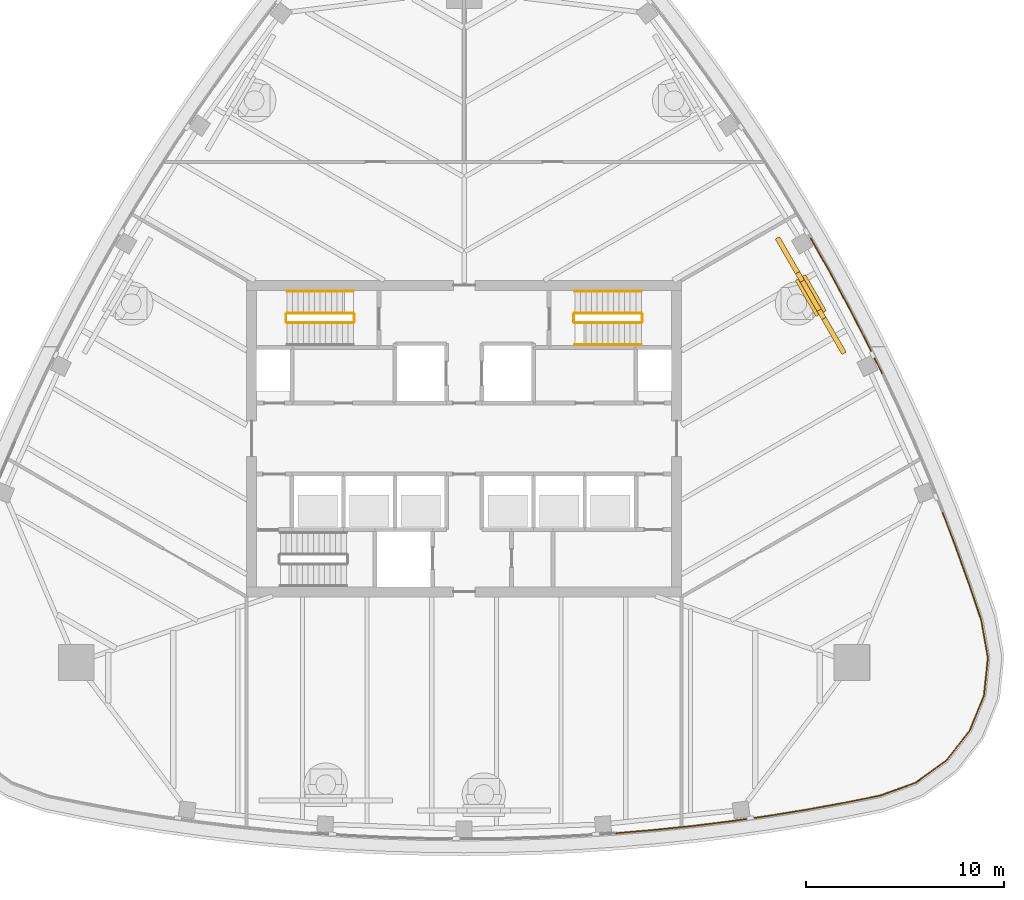
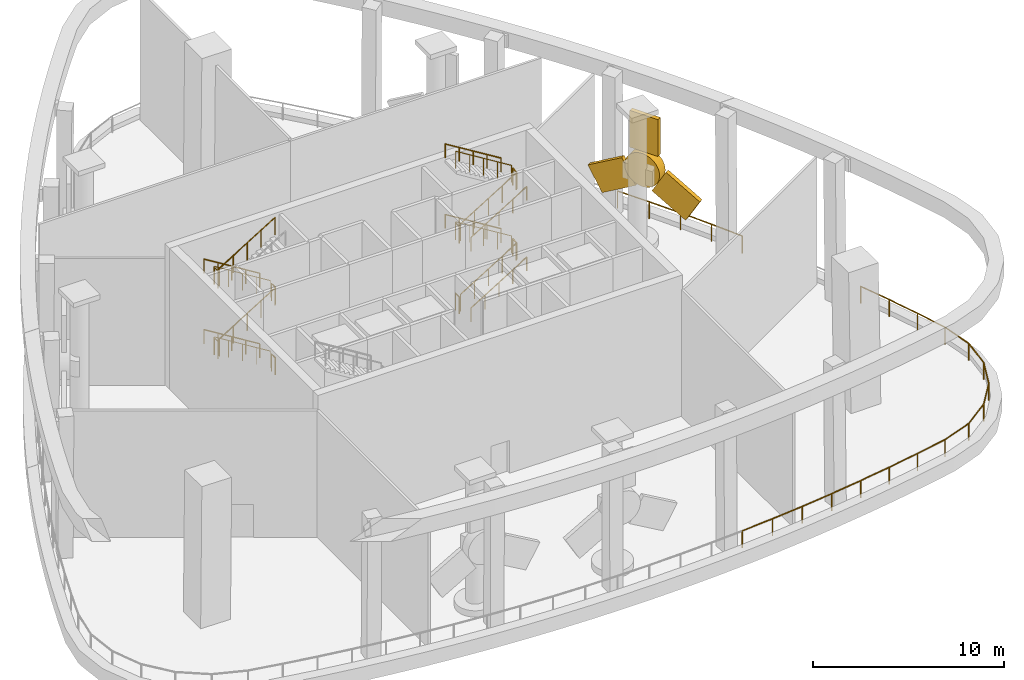
# One storey, part 9 of 12: 28 railings, 4 coverings.
"""IFC4 building model written with IfcOpenShell, lengths in metres."""

from ifc_helpers import new_model, si_unit, direction, frame, origin, origin_2d, place, context, subcontext, project, spatial, rectangle, circle, extrude, material, material_profile, profile_set, type_object, element, save


model = new_model("IFC4")

# Units and contexts
model_context = context("Model", 3, precision=1e-05, world=origin(), true_north=direction((0.0, 1.0)))
body_context = subcontext(model_context, "Body", "Model", "MODEL_VIEW")
ifc_project = project(units=[si_unit("LENGTHUNIT", "METRE"), si_unit("AREAUNIT", "SQUARE_METRE"), si_unit("VOLUMEUNIT", "CUBIC_METRE"), si_unit("PLANEANGLEUNIT", "RADIAN"), si_unit("MASSUNIT", "GRAM", prefix="KILO")], contexts=[model_context])

# Site, building, storey
site_placement = place(None, origin())
site = spatial("IfcSite", under=ifc_project, at=site_placement, CompositionType="ELEMENT")
building_placement = place(site_placement, origin())
building = spatial("IfcBuilding", under=site, at=building_placement, Name="Sierra Prisma Convention Tower", CompositionType="ELEMENT")
storey_placement = place(building_placement, frame((0.0, 0.0, 330.39990234375)))
storey = spatial("IfcBuildingStorey", under=building, at=storey_placement, Name="L75", CompositionType="ELEMENT", Elevation=330.39990234375)

# Railings
ifc_material_1 = material(Name="Stainless steel", Category="steel")
railing_type_1 = type_object("IfcRailingType", Name="Exit stair handrail", PredefinedType="HANDRAIL", material=ifc_material_1)
for number, where, name in (
    (1, (-5.60009765625, 7.449951171875, 0.173095703125), "L75 S3 stair handrail 1"),
    (2, (-5.60009765625, 7.449951171875, 4.673095703125), "L75 S3 stair handrail 3"),
):
    element("IfcRailing", number, at=place(storey_placement, frame(where)), inside=storey, type_object=railing_type_1, Name=name, PredefinedType="HANDRAIL", context=body_context, shape_type="SweptSolid", body=[
        extrude(circle(Radius=0.02392578125, at=origin_2d()), frame((0.0, 0.0, 0.8759765625), z_axis=(-0.850606129759, 0.0, 0.525803396734), x_axis=(0.0, -1.0, 0.0)), (0.0, 0.0, 1.0), 3.949951171875),
        extrude(circle(Radius=0.02099609375, at=origin_2d()), origin(), (0.0, 0.0, 1.0), 0.851806640625),
        extrude(circle(Radius=0.02099609375, at=origin_2d()), frame((-0.83984375, 0.0, 0.519287109375)), (0.0, 0.0, 1.0), 0.851806640625),
        extrude(circle(Radius=0.02099609375, at=origin_2d()), frame((-1.679931640625, 0.0, 1.03857421875)), (0.0, 0.0, 1.0), 0.851806640625),
        extrude(circle(Radius=0.02099609375, at=origin_2d()), frame((-2.52001953125, 0.0, 1.5576171875)), (0.0, 0.0, 1.0), 0.851806640625),
        extrude(circle(Radius=0.02099609375, at=origin_2d()), frame((-3.35986328125, 0.0, 2.076904296875)), (0.0, 0.0, 1.0), 0.851806640625),
    ])
railing_1_placement = place(storey_placement, frame((5.60009765625, 4.75, 0.173095703125)))
element("IfcRailing", 3, at=railing_1_placement, inside=storey, type_object=railing_type_1, Name="L75 S4 stair handrail 1", PredefinedType="HANDRAIL", context=body_context, shape_type="SweptSolid", body=[
    extrude(circle(Radius=0.02392578125, at=origin_2d()), frame((0.0, 0.0, 0.8759765625), z_axis=(0.850606129759, 0.0, 0.525803396734), x_axis=(0.0, 1.0, 0.0)), (0.0, 0.0, 1.0), 3.949951171875),
    extrude(circle(Radius=0.02099609375, at=origin_2d()), origin(), (0.0, 0.0, 1.0), 0.851806640625),
    extrude(circle(Radius=0.02099609375, at=origin_2d()), frame((0.83984375, 0.0, 0.519287109375)), (0.0, 0.0, 1.0), 0.851806640625),
    extrude(circle(Radius=0.02099609375, at=origin_2d()), frame((1.679931640625, 0.0, 1.03857421875)), (0.0, 0.0, 1.0), 0.851806640625),
    extrude(circle(Radius=0.02099609375, at=origin_2d()), frame((2.52001953125, 0.0, 1.5576171875)), (0.0, 0.0, 1.0), 0.851806640625),
    extrude(circle(Radius=0.02099609375, at=origin_2d()), frame((3.35986328125, 0.0, 2.076904296875)), (0.0, 0.0, 1.0), 0.851806640625),
])
railing_2_placement = place(storey_placement, frame((8.9599609375, 7.449951171875, 2.423095703125)))
element("IfcRailing", 4, at=railing_2_placement, inside=storey, type_object=railing_type_1, Name="L75 S4 stair handrail 2", PredefinedType="HANDRAIL", context=body_context, shape_type="SweptSolid", body=[
    extrude(circle(Radius=0.02392578125, at=origin_2d()), frame((0.0, 0.0, 0.8759765625), z_axis=(-0.850606129759, 0.0, 0.525803396734), x_axis=(0.0, -1.0, 0.0)), (0.0, 0.0, 1.0), 3.949951171875),
    extrude(circle(Radius=0.02099609375, at=origin_2d()), origin(), (0.0, 0.0, 1.0), 0.851806640625),
    extrude(circle(Radius=0.02099609375, at=origin_2d()), frame((-0.83984375, 0.0, 0.519287109375)), (0.0, 0.0, 1.0), 0.851806640625),
    extrude(circle(Radius=0.02099609375, at=origin_2d()), frame((-1.679931640625, 0.0, 1.03857421875)), (0.0, 0.0, 1.0), 0.851806640625),
    extrude(circle(Radius=0.02099609375, at=origin_2d()), frame((-2.52001953125, 0.0, 1.5576171875)), (0.0, 0.0, 1.0), 0.851806640625),
    extrude(circle(Radius=0.02099609375, at=origin_2d()), frame((-3.35986328125, 0.0, 2.076904296875)), (0.0, 0.0, 1.0), 0.851806640625),
])
railing_3_placement = place(storey_placement, frame((5.60009765625, 4.75, 4.673095703125)))
element("IfcRailing", 5, at=railing_3_placement, inside=storey, type_object=railing_type_1, Name="L75 S4 stair handrail 3", PredefinedType="HANDRAIL", context=body_context, shape_type="SweptSolid", body=[
    extrude(circle(Radius=0.02392578125, at=origin_2d()), frame((0.0, 0.0, 0.8759765625), z_axis=(0.850606129759, 0.0, 0.525803396734), x_axis=(0.0, 1.0, 0.0)), (0.0, 0.0, 1.0), 3.949951171875),
    extrude(circle(Radius=0.02099609375, at=origin_2d()), origin(), (0.0, 0.0, 1.0), 0.851806640625),
    extrude(circle(Radius=0.02099609375, at=origin_2d()), frame((0.83984375, 0.0, 0.519287109375)), (0.0, 0.0, 1.0), 0.851806640625),
    extrude(circle(Radius=0.02099609375, at=origin_2d()), frame((1.679931640625, 0.0, 1.03857421875)), (0.0, 0.0, 1.0), 0.851806640625),
    extrude(circle(Radius=0.02099609375, at=origin_2d()), frame((2.52001953125, 0.0, 1.5576171875)), (0.0, 0.0, 1.0), 0.851806640625),
    extrude(circle(Radius=0.02099609375, at=origin_2d()), frame((3.35986328125, 0.0, 2.076904296875)), (0.0, 0.0, 1.0), 0.851806640625),
])
railing_4_placement = place(storey_placement, frame((8.9599609375, 7.449951171875, 6.923095703125)))
element("IfcRailing", 6, at=railing_4_placement, inside=storey, type_object=railing_type_1, Name="L75 S4 stair handrail 4", PredefinedType="HANDRAIL", context=body_context, shape_type="SweptSolid", body=[
    extrude(circle(Radius=0.02392578125, at=origin_2d()), frame((0.0, 0.0, 0.8759765625), z_axis=(-0.850606129759, 0.0, 0.525803396734), x_axis=(0.0, -1.0, 0.0)), (0.0, 0.0, 1.0), 3.949951171875),
    extrude(circle(Radius=0.02099609375, at=origin_2d()), origin(), (0.0, 0.0, 1.0), 0.851806640625),
    extrude(circle(Radius=0.02099609375, at=origin_2d()), frame((-0.83984375, 0.0, 0.519287109375)), (0.0, 0.0, 1.0), 0.851806640625),
    extrude(circle(Radius=0.02099609375, at=origin_2d()), frame((-1.679931640625, 0.0, 1.03857421875)), (0.0, 0.0, 1.0), 0.851806640625),
    extrude(circle(Radius=0.02099609375, at=origin_2d()), frame((-2.52001953125, 0.0, 1.5576171875)), (0.0, 0.0, 1.0), 0.851806640625),
    extrude(circle(Radius=0.02099609375, at=origin_2d()), frame((-3.35986328125, 0.0, 2.076904296875)), (0.0, 0.0, 1.0), 0.851806640625),
])
ifc_material_2 = material(Name="Stainless steel 316 and laminated glass", Category="steel")
railing_type_2 = type_object("IfcRailingType", Name="Open storey guard", PredefinedType="BALUSTRADE", material=ifc_material_2)
railing_5_placement = place(storey_placement, frame((17.533203125, 10.122802734375, 0.0)))
element("IfcRailing", 7, at=railing_5_placement, inside=storey, type_object=railing_type_2, Name="Perimeter guard L75", PredefinedType="BALUSTRADE", context=body_context, shape_type="SweptSolid", body=[
    extrude(circle(Radius=0.02490234375, at=origin_2d()), frame((0.0, 0.0, 1.0751953125), z_axis=(0.491806697799, -0.870704411382, 0.0), x_axis=(0.870704411382, 0.491806697799, 0.0)), (0.0, 0.0, 1.0), 1.926513671875),
    extrude(circle(Radius=0.02490234375, at=origin_2d()), frame((0.947509765625, -1.677490234375, 1.0751953125), z_axis=(0.475323541558, -0.879811076789, 0.0), x_axis=(0.879811076789, 0.475323541558, 0.0)), (0.0, 0.0, 1.0), 1.926513671875),
    extrude(circle(Radius=0.02490234375, at=origin_2d()), frame((1.86328125, -3.37255859375, 1.0751953125), z_axis=(0.458633235419, -0.888625655363, 0.0), x_axis=(0.888625655363, 0.458633235419, 0.0)), (0.0, 0.0, 1.0), 1.926513671875),
    extrude(circle(Radius=0.02490234375, at=origin_2d()), frame((2.746826171875, -5.08447265625, 1.0751953125), z_axis=(0.441781321544, -0.897122769711, 0.0), x_axis=(0.897122769711, 0.441781321544, 0.0)), (0.0, 0.0, 1.0), 1.926513671875),
    extrude(circle(Radius=0.02001953125, at=origin_2d()), origin(), (0.0, 0.0, 1.0), 1.050048828125),
    extrude(circle(Radius=0.02001953125, at=origin_2d()), frame((0.947509765625, -1.677490234375, 0.0)), (0.0, 0.0, 1.0), 1.050048828125),
    extrude(circle(Radius=0.02001953125, at=origin_2d()), frame((1.86328125, -3.37255859375, 0.0)), (0.0, 0.0, 1.0), 1.050048828125),
    extrude(circle(Radius=0.02001953125, at=origin_2d()), frame((2.746826171875, -5.08447265625, 0.0)), (0.0, 0.0, 1.0), 1.050048828125),
    extrude(circle(Radius=0.02001953125, at=origin_2d()), frame((3.597900390625, -6.812744140625, 0.0)), (0.0, 0.0, 1.0), 1.050048828125),
])
railing_6_placement = place(storey_placement, frame((24.204833984375, -3.7548828125, 0.0)))
element("IfcRailing", 8, at=railing_6_placement, inside=storey, type_object=railing_type_2, Name="Perimeter guard L75", PredefinedType="BALUSTRADE", context=body_context, shape_type="SweptSolid", body=[
    extrude(circle(Radius=0.02490234375, at=origin_2d()), frame((0.0, 0.0, 1.0751953125), z_axis=(0.355231049555, -0.934778530686, 0.0), x_axis=(0.934778530686, 0.355231049555, 0.0)), (0.0, 0.0, 1.0), 1.926513671875),
    extrude(circle(Radius=0.02490234375, at=origin_2d()), frame((0.684326171875, -1.80078125, 1.0751953125), z_axis=(0.337588414886, -0.941293823487, 0.0), x_axis=(0.941293823487, 0.337588414886, 0.0)), (0.0, 0.0, 1.0), 1.926513671875),
    extrude(circle(Radius=0.02490234375, at=origin_2d()), frame((1.334716796875, -3.6142578125, 1.0751953125), z_axis=(0.319658784979, -0.947532723016, 0.0), x_axis=(0.947532723016, 0.319658784979, 0.0)), (0.0, 0.0, 1.0), 1.920166015625),
    extrude(circle(Radius=0.02490234375, at=origin_2d()), frame((1.948486328125, -5.43359375, 1.0751953125), z_axis=(0.175197419199, -0.984533323106, 0.0), x_axis=(0.984533323106, 0.175197419199, 0.0)), (0.0, 0.0, 1.0), 1.923095703125),
    extrude(circle(Radius=0.02001953125, at=origin_2d()), origin(), (0.0, 0.0, 1.0), 1.050048828125),
    extrude(circle(Radius=0.02001953125, at=origin_2d()), frame((0.684326171875, -1.80078125, 0.0)), (0.0, 0.0, 1.0), 1.050048828125),
    extrude(circle(Radius=0.02001953125, at=origin_2d()), frame((1.334716796875, -3.6142578125, 0.0)), (0.0, 0.0, 1.0), 1.050048828125),
    extrude(circle(Radius=0.02001953125, at=origin_2d()), frame((1.948486328125, -5.43359375, 0.0)), (0.0, 0.0, 1.0), 1.050048828125),
    extrude(circle(Radius=0.02001953125, at=origin_2d()), frame((2.285400390625, -7.326904296875, 0.0)), (0.0, 0.0, 1.0), 1.050048828125),
])
railing_7_placement = place(storey_placement, frame((26.490234375, -11.081787109375, 0.0)))
element("IfcRailing", 9, at=railing_7_placement, inside=storey, type_object=railing_type_2, Name="Perimeter guard L75", PredefinedType="BALUSTRADE", context=body_context, shape_type="SweptSolid", body=[
    extrude(circle(Radius=0.02490234375, at=origin_2d()), frame((0.0, 0.0, 1.0751953125), z_axis=(-0.103564078264, -0.994622783619, 0.0), x_axis=(0.994622783619, -0.103564078264, 0.0)), (0.0, 0.0, 1.0), 1.91650390625),
    extrude(circle(Radius=0.02490234375, at=origin_2d()), frame((-0.198486328125, -1.90625, 1.0751953125), z_axis=(-0.374244001343, -0.927330268814, 0.0), x_axis=(0.927330268814, -0.374244001343, 0.0)), (0.0, 0.0, 1.0), 1.91650390625),
    extrude(circle(Radius=0.02001953125, at=origin_2d()), origin(), (0.0, 0.0, 1.0), 1.050048828125),
    extrude(circle(Radius=0.02001953125, at=origin_2d()), frame((-0.198486328125, -1.90625, 0.0)), (0.0, 0.0, 1.0), 1.050048828125),
    extrude(circle(Radius=0.02001953125, at=origin_2d()), frame((-0.915771484375, -3.68359375, 0.0)), (0.0, 0.0, 1.0), 1.050048828125),
])
railing_8_placement = place(storey_placement, frame((25.574462890625, -14.765380859375, 0.0)))
element("IfcRailing", 10, at=railing_8_placement, inside=storey, type_object=railing_type_2, Name="Perimeter guard L75", PredefinedType="BALUSTRADE", context=body_context, shape_type="SweptSolid", body=[
    extrude(circle(Radius=0.02490234375, at=origin_2d()), frame((0.0, 0.0, 1.0751953125), z_axis=(-0.615878843641, -0.787840878576, 0.0), x_axis=(0.787840878576, -0.615878843641, 0.0)), (0.0, 0.0, 1.0), 1.916748046875),
    extrude(circle(Radius=0.02490234375, at=origin_2d()), frame((-1.180419921875, -1.510009765625, 1.0751953125), z_axis=(-0.80961649656, -0.586959222176, 0.0), x_axis=(0.586959222176, -0.80961649656, 0.0)), (0.0, 0.0, 1.0), 1.916748046875),
    extrude(circle(Radius=0.02001953125, at=origin_2d()), origin(), (0.0, 0.0, 1.0), 1.050048828125),
    extrude(circle(Radius=0.02001953125, at=origin_2d()), frame((-1.180419921875, -1.510009765625, 0.0)), (0.0, 0.0, 1.0), 1.050048828125),
    extrude(circle(Radius=0.02001953125, at=origin_2d()), frame((-2.732177734375, -2.635009765625, 0.0)), (0.0, 0.0, 1.0), 1.050048828125),
])
railing_9_placement = place(storey_placement, frame((22.84228515625, -17.400390625, 0.0)))
element("IfcRailing", 11, at=railing_9_placement, inside=storey, type_object=railing_type_2, Name="Perimeter guard L75", PredefinedType="BALUSTRADE", context=body_context, shape_type="SweptSolid", body=[
    extrude(circle(Radius=0.02490234375, at=origin_2d()), frame((0.0, 0.0, 1.0751953125), z_axis=(-0.940204177055, -0.34061137011, 0.0), x_axis=(0.34061137011, -0.940204177055, 0.0)), (0.0, 0.0, 1.0), 1.923095703125),
    extrude(circle(Radius=0.02490234375, at=origin_2d()), frame((-1.80810546875, -0.655029296875, 1.0751953125), z_axis=(-0.980438600327, -0.196825178746, 0.0), x_axis=(0.196825178746, -0.980438600327, 0.0)), (0.0, 0.0, 1.0), 1.920166015625),
    extrude(circle(Radius=0.02490234375, at=origin_2d()), frame((-3.690673828125, -1.032958984375, 1.0751953125), z_axis=(-0.983973161723, -0.178316620111, 0.0), x_axis=(0.178316620111, -0.983973161723, 0.0)), (0.0, 0.0, 1.0), 1.92626953125),
    extrude(circle(Radius=0.02490234375, at=origin_2d()), frame((-5.586181640625, -1.37646484375, 1.0751953125), z_axis=(-0.987170336295, -0.159670683406, 0.0), x_axis=(0.159670683406, -0.987170336295, 0.0)), (0.0, 0.0, 1.0), 1.926513671875),
    extrude(circle(Radius=0.02001953125, at=origin_2d()), origin(), (0.0, 0.0, 1.0), 1.050048828125),
    extrude(circle(Radius=0.02001953125, at=origin_2d()), frame((-1.80810546875, -0.655029296875, 0.0)), (0.0, 0.0, 1.0), 1.050048828125),
    extrude(circle(Radius=0.02001953125, at=origin_2d()), frame((-3.690673828125, -1.032958984375, 0.0)), (0.0, 0.0, 1.0), 1.050048828125),
    extrude(circle(Radius=0.02001953125, at=origin_2d()), frame((-5.586181640625, -1.37646484375, 0.0)), (0.0, 0.0, 1.0), 1.050048828125),
    extrude(circle(Radius=0.02001953125, at=origin_2d()), frame((-7.488037109375, -1.68408203125, 0.0)), (0.0, 0.0, 1.0), 1.050048828125),
])
railing_10_placement = place(storey_placement, frame((15.354248046875, -19.08447265625, 0.0)))
element("IfcRailing", 12, at=railing_10_placement, inside=storey, type_object=railing_type_2, Name="Perimeter guard L75", PredefinedType="BALUSTRADE", context=body_context, shape_type="SweptSolid", body=[
    extrude(circle(Radius=0.02490234375, at=origin_2d()), frame((0.0, 0.0, 1.0751953125), z_axis=(-0.990005170254, -0.141031070587, 0.0), x_axis=(0.141031070587, -0.990005170254, 0.0)), (0.0, 0.0, 1.0), 1.9267578125),
    extrude(circle(Radius=0.02490234375, at=origin_2d()), frame((-1.907470703125, -0.271728515625, 1.0751953125), z_axis=(-0.992477405422, -0.122427936871, 0.0), x_axis=(0.122427936871, -0.992477405422, 0.0)), (0.0, 0.0, 1.0), 1.92626953125),
    extrude(circle(Radius=0.02490234375, at=origin_2d()), frame((-3.8193359375, -0.507568359375, 1.0751953125), z_axis=(-0.99462629541, -0.103530345694, 0.0), x_axis=(0.103530345694, -0.99462629541, 0.0)), (0.0, 0.0, 1.0), 1.926513671875),
    extrude(circle(Radius=0.02490234375, at=origin_2d()), frame((-5.735595703125, -0.70703125, 1.0751953125), z_axis=(-0.996389345274, -0.084901546653, 0.0), x_axis=(0.084901546653, -0.996389345274, 0.0)), (0.0, 0.0, 1.0), 1.926513671875),
    extrude(circle(Radius=0.02001953125, at=origin_2d()), origin(), (0.0, 0.0, 1.0), 1.050048828125),
    extrude(circle(Radius=0.02001953125, at=origin_2d()), frame((-1.907470703125, -0.271728515625, 0.0)), (0.0, 0.0, 1.0), 1.050048828125),
    extrude(circle(Radius=0.02001953125, at=origin_2d()), frame((-3.8193359375, -0.507568359375, 0.0)), (0.0, 0.0, 1.0), 1.050048828125),
    extrude(circle(Radius=0.02001953125, at=origin_2d()), frame((-5.735595703125, -0.70703125, 0.0)), (0.0, 0.0, 1.0), 1.050048828125),
    extrude(circle(Radius=0.02001953125, at=origin_2d()), frame((-7.6552734375, -0.87060546875, 0.0)), (0.0, 0.0, 1.0), 1.050048828125),
])

# Coverings
ifc_material_3 = material(Name="Aluminium composite bronze anodised", Category="aluminium")
ifc_material_profile_1 = material_profile(ifc_material_3, rectangle(XDim=0.25, YDim=1.699951171875, at=origin_2d()), Name="ROTOR BLADE 250x1700")
ifc_profile_set_1 = profile_set([ifc_material_profile_1], Name="Aluminium composite bronze anodised")
covering_type_1 = type_object("IfcCoveringType", Name="Rotor blade", PredefinedType="CLADDING", material=ifc_profile_set_1)
covering_1_placement = place(storey_placement, frame((17.53076171875, 7.235107421875, 5.400146484375), z_axis=(0.0, 0.0, 1.0), x_axis=(0.866025403784, 0.5, 0.0)))
element("IfcCovering", 13, at=covering_1_placement, inside=storey, type_object=covering_type_1, Name="Rotor blade 2.1", PredefinedType="CLADDING", context=body_context, shape_type="SweptSolid", body=[
    extrude(rectangle(XDim=0.25, YDim=1.699951171875, at=origin_2d()), origin(), (0.0, 0.0, 1.0), 2.349853515625),
])
for number, where, z_axis, x_axis, name in (
    (14, (17.985595703125, 6.447509765625, 3.8251953125), (0.433014354779, -0.749983355842, -0.500023533961), (0.866019772443, 0.500009753642, 0.0), "Rotor blade 2.2"),
    (15, (17.076171875, 8.0224609375, 3.8251953125), (-0.433014354779, 0.749983355842, -0.500023533961), (-0.866019772443, -0.500009753642, 0.0), "Rotor blade 2.3"),
):
    element("IfcCovering", number, at=place(storey_placement, frame(where, z_axis=z_axis, x_axis=x_axis)), inside=storey, type_object=covering_type_1, Name=name, PredefinedType="CLADDING", context=body_context, shape_type="SweptSolid", body=[
        extrude(rectangle(XDim=0.25, YDim=1.699951171875, at=origin_2d()), origin(), (0.0, 0.0, 1.0), 2.35009765625),
    ])
ifc_material_4 = material(Name="Aluminium composite bronze anodised", Category="aluminium")
ifc_material_profile_2 = material_profile(ifc_material_4, circle(Radius=1.050048828125, at=origin_2d()), Name="ROTOR HUB 2100")
ifc_profile_set_2 = profile_set([ifc_material_profile_2], Name="Aluminium composite bronze anodised")
covering_type_2 = type_object("IfcCoveringType", Name="Rotor hub", PredefinedType="CLADDING", material=ifc_profile_set_2)
covering_2_placement = place(storey_placement, frame((17.27099609375, 7.0849609375, 4.35009765625), z_axis=(0.865955154139, 0.50012165622, 0.0), x_axis=(-0.50012165622, 0.865955154139, 0.0)))
element("IfcCovering", 16, at=covering_2_placement, inside=storey, type_object=covering_type_2, Name="Rotor hub 2", PredefinedType="CLADDING", context=body_context, shape_type="SweptSolid", body=[
    extrude(circle(Radius=1.050048828125, at=origin_2d()), origin(), (0.0, 0.0, 1.0), 0.599853515625),
])

# Railings
ifc_material_5 = material(Name="Stainless steel", Category="steel")
railing_type_3 = type_object("IfcRailingType", Name="Stair guard 1100", PredefinedType="GUARDRAIL", material=ifc_material_5)
railing_11_placement = place(storey_placement, frame((-5.60009765625, 6.35009765625, 0.173095703125)))
element("IfcRailing", 17, at=railing_11_placement, inside=storey, type_object=railing_type_3, Name="L75 S3 stair guard 1", PredefinedType="GUARDRAIL", context=body_context, shape_type="SweptSolid", body=[
    extrude(circle(Radius=0.02392578125, at=origin_2d()), frame((0.0, 0.0, 1.076171875), z_axis=(-0.850606129759, 0.0, 0.525803396734), x_axis=(0.0, -1.0, 0.0)), (0.0, 0.0, 1.0), 3.949951171875),
    extrude(circle(Radius=0.02099609375, at=origin_2d()), origin(), (0.0, 0.0, 1.0), 1.052001953125),
    extrude(circle(Radius=0.02099609375, at=origin_2d()), frame((-0.83984375, 0.0, 0.519287109375)), (0.0, 0.0, 1.0), 1.052001953125),
    extrude(circle(Radius=0.02099609375, at=origin_2d()), frame((-1.679931640625, 0.0, 1.03857421875)), (0.0, 0.0, 1.0), 1.052001953125),
    extrude(circle(Radius=0.02099609375, at=origin_2d()), frame((-2.52001953125, 0.0, 1.5576171875)), (0.0, 0.0, 1.0), 1.052001953125),
    extrude(circle(Radius=0.02099609375, at=origin_2d()), frame((-3.35986328125, 0.0, 2.076904296875)), (0.0, 0.0, 1.0), 1.052001953125),
])
railing_12_placement = place(storey_placement, frame((-9.010009765625, 6.300048828125, 2.25)))
element("IfcRailing", 18, at=railing_12_placement, inside=storey, type_object=railing_type_3, Name="L75 S3 stair guard 2", PredefinedType="GUARDRAIL", context=body_context, shape_type="SweptSolid", body=[
    extrude(circle(Radius=0.02392578125, at=origin_2d()), frame((0.0, 0.0, 1.076171875), z_axis=(0.0, -1.0, 0.0), x_axis=(1.0, 0.0, 0.0)), (0.0, 0.0, 1.0), 0.400146484375),
    extrude(circle(Radius=0.02099609375, at=origin_2d()), origin(), (0.0, 0.0, 1.0), 1.052001953125),
    extrude(circle(Radius=0.02099609375, at=origin_2d()), frame((0.0, -0.400146484375, 0.0)), (0.0, 0.0, 1.0), 1.052001953125),
])
railing_13_placement = place(storey_placement, frame((-8.9599609375, 5.85009765625, 2.423095703125)))
element("IfcRailing", 19, at=railing_13_placement, inside=storey, type_object=railing_type_3, Name="L75 S3 stair guard 3", PredefinedType="GUARDRAIL", context=body_context, shape_type="SweptSolid", body=[
    extrude(circle(Radius=0.02392578125, at=origin_2d()), frame((0.0, 0.0, 1.076171875), z_axis=(0.850606129759, 0.0, 0.525803396734), x_axis=(0.0, 1.0, 0.0)), (0.0, 0.0, 1.0), 3.949951171875),
    extrude(circle(Radius=0.02099609375, at=origin_2d()), origin(), (0.0, 0.0, 1.0), 1.052001953125),
    extrude(circle(Radius=0.02099609375, at=origin_2d()), frame((0.83984375, 0.0, 0.519287109375)), (0.0, 0.0, 1.0), 1.052001953125),
    extrude(circle(Radius=0.02099609375, at=origin_2d()), frame((1.679931640625, 0.0, 1.03857421875)), (0.0, 0.0, 1.0), 1.052001953125),
    extrude(circle(Radius=0.02099609375, at=origin_2d()), frame((2.52001953125, 0.0, 1.5576171875)), (0.0, 0.0, 1.0), 1.052001953125),
    extrude(circle(Radius=0.02099609375, at=origin_2d()), frame((3.35986328125, 0.0, 2.076904296875)), (0.0, 0.0, 1.0), 1.052001953125),
])
railing_14_placement = place(storey_placement, frame((-5.550048828125, 6.300048828125, 4.5)))
element("IfcRailing", 20, at=railing_14_placement, inside=storey, type_object=railing_type_3, Name="L75 S3 stair guard 4", PredefinedType="GUARDRAIL", context=body_context, shape_type="SweptSolid", body=[
    extrude(circle(Radius=0.02392578125, at=origin_2d()), frame((0.0, 0.0, 1.076171875), z_axis=(0.0, -1.0, 0.0), x_axis=(1.0, 0.0, 0.0)), (0.0, 0.0, 1.0), 0.400146484375),
    extrude(circle(Radius=0.02099609375, at=origin_2d()), origin(), (0.0, 0.0, 1.0), 1.052001953125),
    extrude(circle(Radius=0.02099609375, at=origin_2d()), frame((0.0, -0.400146484375, 0.0)), (0.0, 0.0, 1.0), 1.052001953125),
])
railing_15_placement = place(storey_placement, frame((-5.60009765625, 6.35009765625, 4.673095703125)))
element("IfcRailing", 21, at=railing_15_placement, inside=storey, type_object=railing_type_3, Name="L75 S3 stair guard 5", PredefinedType="GUARDRAIL", context=body_context, shape_type="SweptSolid", body=[
    extrude(circle(Radius=0.02392578125, at=origin_2d()), frame((0.0, 0.0, 1.076171875), z_axis=(-0.850606129759, 0.0, 0.525803396734), x_axis=(0.0, -1.0, 0.0)), (0.0, 0.0, 1.0), 3.949951171875),
    extrude(circle(Radius=0.02099609375, at=origin_2d()), origin(), (0.0, 0.0, 1.0), 1.052001953125),
    extrude(circle(Radius=0.02099609375, at=origin_2d()), frame((-0.83984375, 0.0, 0.519287109375)), (0.0, 0.0, 1.0), 1.052001953125),
    extrude(circle(Radius=0.02099609375, at=origin_2d()), frame((-1.679931640625, 0.0, 1.03857421875)), (0.0, 0.0, 1.0), 1.052001953125),
    extrude(circle(Radius=0.02099609375, at=origin_2d()), frame((-2.52001953125, 0.0, 1.5576171875)), (0.0, 0.0, 1.0), 1.052001953125),
    extrude(circle(Radius=0.02099609375, at=origin_2d()), frame((-3.35986328125, 0.0, 2.076904296875)), (0.0, 0.0, 1.0), 1.052001953125),
])
railing_16_placement = place(storey_placement, frame((-9.010009765625, 6.300048828125, 6.75)))
element("IfcRailing", 22, at=railing_16_placement, inside=storey, type_object=railing_type_3, Name="L75 S3 stair guard 6", PredefinedType="GUARDRAIL", context=body_context, shape_type="SweptSolid", body=[
    extrude(circle(Radius=0.02392578125, at=origin_2d()), frame((0.0, 0.0, 1.076171875), z_axis=(0.0, -1.0, 0.0), x_axis=(1.0, 0.0, 0.0)), (0.0, 0.0, 1.0), 0.400146484375),
    extrude(circle(Radius=0.02099609375, at=origin_2d()), origin(), (0.0, 0.0, 1.0), 1.052001953125),
    extrude(circle(Radius=0.02099609375, at=origin_2d()), frame((0.0, -0.400146484375, 0.0)), (0.0, 0.0, 1.0), 1.052001953125),
])
railing_17_placement = place(storey_placement, frame((-8.9599609375, 5.85009765625, 6.923095703125)))
element("IfcRailing", 23, at=railing_17_placement, inside=storey, type_object=railing_type_3, Name="L75 S3 stair guard 7", PredefinedType="GUARDRAIL", context=body_context, shape_type="SweptSolid", body=[
    extrude(circle(Radius=0.02392578125, at=origin_2d()), frame((0.0, 0.0, 1.076171875), z_axis=(0.850606129759, 0.0, 0.525803396734), x_axis=(0.0, 1.0, 0.0)), (0.0, 0.0, 1.0), 3.949951171875),
    extrude(circle(Radius=0.02099609375, at=origin_2d()), origin(), (0.0, 0.0, 1.0), 1.052001953125),
    extrude(circle(Radius=0.02099609375, at=origin_2d()), frame((0.83984375, 0.0, 0.519287109375)), (0.0, 0.0, 1.0), 1.052001953125),
    extrude(circle(Radius=0.02099609375, at=origin_2d()), frame((1.679931640625, 0.0, 1.03857421875)), (0.0, 0.0, 1.0), 1.052001953125),
    extrude(circle(Radius=0.02099609375, at=origin_2d()), frame((2.52001953125, 0.0, 1.5576171875)), (0.0, 0.0, 1.0), 1.052001953125),
    extrude(circle(Radius=0.02099609375, at=origin_2d()), frame((3.35986328125, 0.0, 2.076904296875)), (0.0, 0.0, 1.0), 1.052001953125),
])
railing_18_placement = place(storey_placement, frame((-5.550048828125, 6.300048828125, 0.0)))
element("IfcRailing", 24, at=railing_18_placement, inside=storey, type_object=railing_type_3, Name="L75 S3 stair guard 8", PredefinedType="GUARDRAIL", context=body_context, shape_type="SweptSolid", body=[
    extrude(circle(Radius=0.02392578125, at=origin_2d()), frame((0.0, 0.0, 1.076171875), z_axis=(0.0, -1.0, 0.0), x_axis=(1.0, 0.0, 0.0)), (0.0, 0.0, 1.0), 0.400146484375),
    extrude(circle(Radius=0.02099609375, at=origin_2d()), origin(), (0.0, 0.0, 1.0), 1.052001953125),
    extrude(circle(Radius=0.02099609375, at=origin_2d()), frame((0.0, -0.400146484375, 0.0)), (0.0, 0.0, 1.0), 1.052001953125),
])
railing_19_placement = place(storey_placement, frame((5.60009765625, 5.85009765625, 0.173095703125)))
element("IfcRailing", 25, at=railing_19_placement, inside=storey, type_object=railing_type_3, Name="L75 S4 stair guard 1", PredefinedType="GUARDRAIL", context=body_context, shape_type="SweptSolid", body=[
    extrude(circle(Radius=0.02392578125, at=origin_2d()), frame((0.0, 0.0, 1.076171875), z_axis=(0.850606129759, 0.0, 0.525803396734), x_axis=(0.0, 1.0, 0.0)), (0.0, 0.0, 1.0), 3.949951171875),
    extrude(circle(Radius=0.02099609375, at=origin_2d()), origin(), (0.0, 0.0, 1.0), 1.052001953125),
    extrude(circle(Radius=0.02099609375, at=origin_2d()), frame((0.83984375, 0.0, 0.519287109375)), (0.0, 0.0, 1.0), 1.052001953125),
    extrude(circle(Radius=0.02099609375, at=origin_2d()), frame((1.679931640625, 0.0, 1.03857421875)), (0.0, 0.0, 1.0), 1.052001953125),
    extrude(circle(Radius=0.02099609375, at=origin_2d()), frame((2.52001953125, 0.0, 1.5576171875)), (0.0, 0.0, 1.0), 1.052001953125),
    extrude(circle(Radius=0.02099609375, at=origin_2d()), frame((3.35986328125, 0.0, 2.076904296875)), (0.0, 0.0, 1.0), 1.052001953125),
])
railing_20_placement = place(storey_placement, frame((9.010009765625, 5.89990234375, 2.25)))
element("IfcRailing", 26, at=railing_20_placement, inside=storey, type_object=railing_type_3, Name="L75 S4 stair guard 2", PredefinedType="GUARDRAIL", context=body_context, shape_type="SweptSolid", body=[
    extrude(circle(Radius=0.02392578125, at=origin_2d()), frame((0.0, 0.0, 1.076171875), z_axis=(0.0, 1.0, 0.0), x_axis=(-1.0, 0.0, 0.0)), (0.0, 0.0, 1.0), 0.400146484375),
    extrude(circle(Radius=0.02099609375, at=origin_2d()), origin(), (0.0, 0.0, 1.0), 1.052001953125),
    extrude(circle(Radius=0.02099609375, at=origin_2d()), frame((0.0, 0.400146484375, 0.0)), (0.0, 0.0, 1.0), 1.052001953125),
])
railing_21_placement = place(storey_placement, frame((8.9599609375, 6.35009765625, 2.423095703125)))
element("IfcRailing", 27, at=railing_21_placement, inside=storey, type_object=railing_type_3, Name="L75 S4 stair guard 3", PredefinedType="GUARDRAIL", context=body_context, shape_type="SweptSolid", body=[
    extrude(circle(Radius=0.02392578125, at=origin_2d()), frame((0.0, 0.0, 1.076171875), z_axis=(-0.850606129759, 0.0, 0.525803396734), x_axis=(0.0, -1.0, 0.0)), (0.0, 0.0, 1.0), 3.949951171875),
    extrude(circle(Radius=0.02099609375, at=origin_2d()), origin(), (0.0, 0.0, 1.0), 1.052001953125),
    extrude(circle(Radius=0.02099609375, at=origin_2d()), frame((-0.83984375, 0.0, 0.519287109375)), (0.0, 0.0, 1.0), 1.052001953125),
    extrude(circle(Radius=0.02099609375, at=origin_2d()), frame((-1.679931640625, 0.0, 1.03857421875)), (0.0, 0.0, 1.0), 1.052001953125),
    extrude(circle(Radius=0.02099609375, at=origin_2d()), frame((-2.52001953125, 0.0, 1.5576171875)), (0.0, 0.0, 1.0), 1.052001953125),
    extrude(circle(Radius=0.02099609375, at=origin_2d()), frame((-3.35986328125, 0.0, 2.076904296875)), (0.0, 0.0, 1.0), 1.052001953125),
])
railing_22_placement = place(storey_placement, frame((5.550048828125, 5.89990234375, 4.5)))
element("IfcRailing", 28, at=railing_22_placement, inside=storey, type_object=railing_type_3, Name="L75 S4 stair guard 4", PredefinedType="GUARDRAIL", context=body_context, shape_type="SweptSolid", body=[
    extrude(circle(Radius=0.02392578125, at=origin_2d()), frame((0.0, 0.0, 1.076171875), z_axis=(0.0, 1.0, 0.0), x_axis=(-1.0, 0.0, 0.0)), (0.0, 0.0, 1.0), 0.400146484375),
    extrude(circle(Radius=0.02099609375, at=origin_2d()), origin(), (0.0, 0.0, 1.0), 1.052001953125),
    extrude(circle(Radius=0.02099609375, at=origin_2d()), frame((0.0, 0.400146484375, 0.0)), (0.0, 0.0, 1.0), 1.052001953125),
])
railing_23_placement = place(storey_placement, frame((5.60009765625, 5.85009765625, 4.673095703125)))
element("IfcRailing", 29, at=railing_23_placement, inside=storey, type_object=railing_type_3, Name="L75 S4 stair guard 5", PredefinedType="GUARDRAIL", context=body_context, shape_type="SweptSolid", body=[
    extrude(circle(Radius=0.02392578125, at=origin_2d()), frame((0.0, 0.0, 1.076171875), z_axis=(0.850606129759, 0.0, 0.525803396734), x_axis=(0.0, 1.0, 0.0)), (0.0, 0.0, 1.0), 3.949951171875),
    extrude(circle(Radius=0.02099609375, at=origin_2d()), origin(), (0.0, 0.0, 1.0), 1.052001953125),
    extrude(circle(Radius=0.02099609375, at=origin_2d()), frame((0.83984375, 0.0, 0.519287109375)), (0.0, 0.0, 1.0), 1.052001953125),
    extrude(circle(Radius=0.02099609375, at=origin_2d()), frame((1.679931640625, 0.0, 1.03857421875)), (0.0, 0.0, 1.0), 1.052001953125),
    extrude(circle(Radius=0.02099609375, at=origin_2d()), frame((2.52001953125, 0.0, 1.5576171875)), (0.0, 0.0, 1.0), 1.052001953125),
    extrude(circle(Radius=0.02099609375, at=origin_2d()), frame((3.35986328125, 0.0, 2.076904296875)), (0.0, 0.0, 1.0), 1.052001953125),
])
railing_24_placement = place(storey_placement, frame((9.010009765625, 5.89990234375, 6.75)))
element("IfcRailing", 30, at=railing_24_placement, inside=storey, type_object=railing_type_3, Name="L75 S4 stair guard 6", PredefinedType="GUARDRAIL", context=body_context, shape_type="SweptSolid", body=[
    extrude(circle(Radius=0.02392578125, at=origin_2d()), frame((0.0, 0.0, 1.076171875), z_axis=(0.0, 1.0, 0.0), x_axis=(-1.0, 0.0, 0.0)), (0.0, 0.0, 1.0), 0.400146484375),
    extrude(circle(Radius=0.02099609375, at=origin_2d()), origin(), (0.0, 0.0, 1.0), 1.052001953125),
    extrude(circle(Radius=0.02099609375, at=origin_2d()), frame((0.0, 0.400146484375, 0.0)), (0.0, 0.0, 1.0), 1.052001953125),
])
railing_25_placement = place(storey_placement, frame((8.9599609375, 6.35009765625, 6.923095703125)))
element("IfcRailing", 31, at=railing_25_placement, inside=storey, type_object=railing_type_3, Name="L75 S4 stair guard 7", PredefinedType="GUARDRAIL", context=body_context, shape_type="SweptSolid", body=[
    extrude(circle(Radius=0.02392578125, at=origin_2d()), frame((0.0, 0.0, 1.076171875), z_axis=(-0.850606129759, 0.0, 0.525803396734), x_axis=(0.0, -1.0, 0.0)), (0.0, 0.0, 1.0), 3.949951171875),
    extrude(circle(Radius=0.02099609375, at=origin_2d()), origin(), (0.0, 0.0, 1.0), 1.052001953125),
    extrude(circle(Radius=0.02099609375, at=origin_2d()), frame((-0.83984375, 0.0, 0.519287109375)), (0.0, 0.0, 1.0), 1.052001953125),
    extrude(circle(Radius=0.02099609375, at=origin_2d()), frame((-1.679931640625, 0.0, 1.03857421875)), (0.0, 0.0, 1.0), 1.052001953125),
    extrude(circle(Radius=0.02099609375, at=origin_2d()), frame((-2.52001953125, 0.0, 1.5576171875)), (0.0, 0.0, 1.0), 1.052001953125),
    extrude(circle(Radius=0.02099609375, at=origin_2d()), frame((-3.35986328125, 0.0, 2.076904296875)), (0.0, 0.0, 1.0), 1.052001953125),
])
railing_26_placement = place(storey_placement, frame((5.550048828125, 5.89990234375, 0.0)))
element("IfcRailing", 32, at=railing_26_placement, inside=storey, type_object=railing_type_3, Name="L75 S4 stair guard 8", PredefinedType="GUARDRAIL", context=body_context, shape_type="SweptSolid", body=[
    extrude(circle(Radius=0.02392578125, at=origin_2d()), frame((0.0, 0.0, 1.076171875), z_axis=(0.0, 1.0, 0.0), x_axis=(-1.0, 0.0, 0.0)), (0.0, 0.0, 1.0), 0.400146484375),
    extrude(circle(Radius=0.02099609375, at=origin_2d()), origin(), (0.0, 0.0, 1.0), 1.052001953125),
    extrude(circle(Radius=0.02099609375, at=origin_2d()), frame((0.0, 0.400146484375, 0.0)), (0.0, 0.0, 1.0), 1.052001953125),
])

save(model, "model.ifc")
